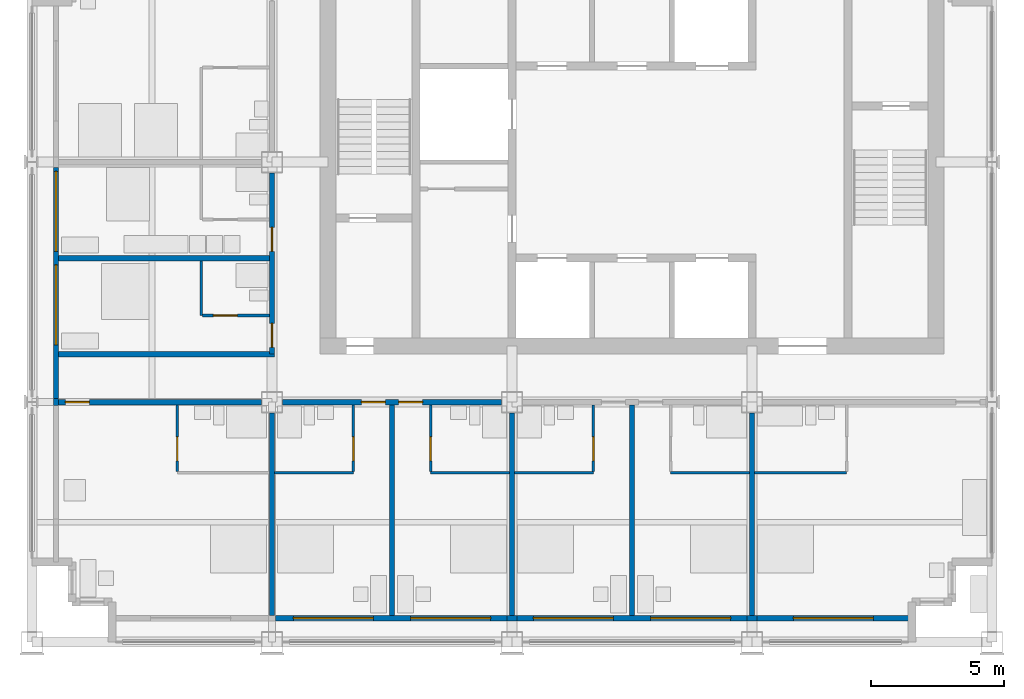
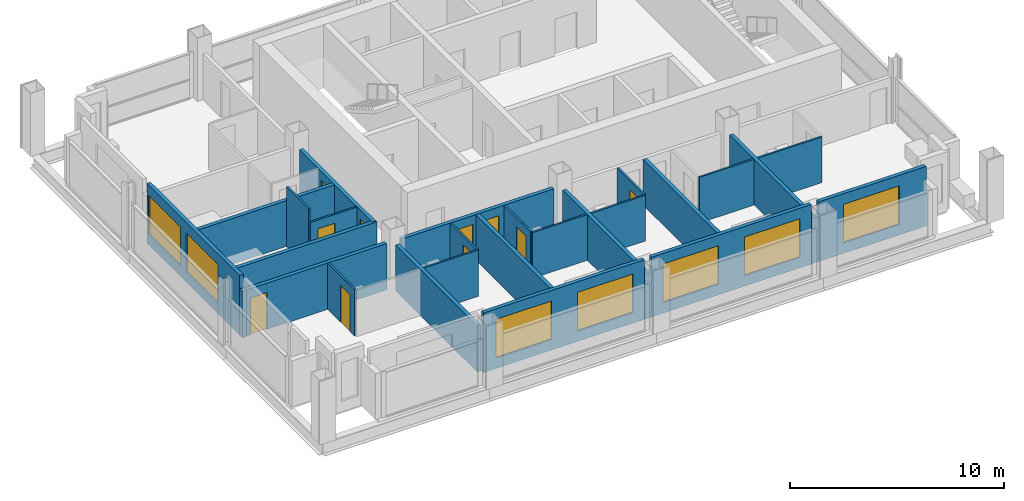
# One storey, part 6 of 12: 28 walls, 10 doors, 7 windows, 17 openings.
"""IFC4 building model written with IfcOpenShell, lengths in metres."""

from ifc_helpers import new_model, si_unit, direction, frame, frame_2d, origin, place, context, subcontext, project, spatial, rectangle, extrude, material, layer, layer_set, type_object, element, fill, save


model = new_model("IFC4")

# Units and contexts
model_context = context("Model", 3, precision=1e-05, world=origin(), true_north=direction((0.0, 1.0)))
body_context = subcontext(model_context, "Body", "Model", "MODEL_VIEW")
ifc_project = project(units=[si_unit("LENGTHUNIT", "METRE"), si_unit("AREAUNIT", "SQUARE_METRE"), si_unit("VOLUMEUNIT", "CUBIC_METRE"), si_unit("PLANEANGLEUNIT", "RADIAN"), si_unit("MASSUNIT", "GRAM", prefix="KILO")], contexts=[model_context])

# Site, building, storey
site_placement = place(None, origin())
site = spatial("IfcSite", under=ifc_project, at=site_placement, CompositionType="ELEMENT")
building_placement = place(site_placement, origin())
building = spatial("IfcBuilding", under=site, at=building_placement, Name="Loomwork Tower", CompositionType="ELEMENT")
storey_placement = place(building_placement, frame((0.0, 0.0, 251.800048828125)))
storey = spatial("IfcBuildingStorey", under=building, at=storey_placement, Name="L69", CompositionType="ELEMENT", Elevation=251.800048828125)

# Wall, opening, door
ifc_material_1 = material(Name="Gypsum board on steel studs, one-hour", Category="steel")
ifc_layer_1 = layer(ifc_material_1, 0.199951171875)
ifc_layer_set_1 = layer_set([ifc_layer_1], Name="Corridor wall 200")
wall_type_1 = type_object("IfcWallType", Name="Corridor wall 200", PredefinedType="PARTITIONING", material=ifc_layer_set_1)
wall_1_placement = place(storey_placement, frame((1.0, 9.0, 0.0), z_axis=(0.0, 0.0, 1.0), x_axis=(1.0, 0.0, 0.0)))
wall_1 = element("IfcWall", 1, at=wall_1_placement, inside=storey, type_object=wall_type_1, Name="South corridor wall 1", PredefinedType="PARTITIONING", context=body_context, shape_type="SweptSolid", body=[
    extrude(rectangle(XDim=7.60009765625, YDim=0.199951171875, at=frame_2d((3.800048828125, 0.0))), origin(), (0.0, 0.0, 1.0), 2.637939453125),
])
opening_1_placement = place(wall_1_placement, frame((0.25, 0.0, 0.0)))
opening_1 = element("IfcOpeningElement", 2, at=opening_1_placement, cuts=wall_1, Name="Opening D1", PredefinedType="OPENING", context=body_context, shape_type="SweptSolid", body=[
    extrude(rectangle(XDim=0.89990234375, YDim=2.10009765625, at=frame_2d((0.449951171875, 1.050048828125))), frame((0.0, 0.10986328125, 0.0), z_axis=(0.0, -1.0, 0.0), x_axis=(1.0, 0.0, 0.0)), (0.0, 0.0, 1.0), 0.219970703125),
])
ifc_material_2 = material(Name="Hollow metal door and frame")
door_type_1 = type_object("IfcDoorType", Name="Guest room entry door 900", OperationType="SINGLE_SWING_LEFT", PredefinedType="DOOR", material=ifc_material_2)
door_1_placement = place(opening_1_placement, frame((0.89990234375, 0.0, 0.0), z_axis=(0.0, 0.0, 1.0), x_axis=(-1.0, 0.0, 0.0)))
door_1 = element("IfcDoor", 3, at=door_1_placement, inside=storey, type_object=door_type_1, Name="Guest room entry door L69 1", OperationType="SINGLE_SWING_RIGHT", OverallHeight=2.10009765625, OverallWidth=0.89990234375, PredefinedType="DOOR", context=body_context, shape_type="SweptSolid", body=[
    extrude(rectangle(XDim=0.89990234375, YDim=2.10009765625, at=frame_2d((0.449951171875, 1.050048828125))), frame((0.0, 0.02490234375, 0.0), z_axis=(0.0, -1.0, 0.0), x_axis=(1.0, 0.0, 0.0)), (0.0, 0.0, 1.0), 0.050048828125),
])
fill(opening_1, door_1)

# Wall, openings, doors
wall_2_placement = place(storey_placement, frame((9.39990234375, 9.0, 0.0), z_axis=(0.0, 0.0, 1.0), x_axis=(1.0, 0.0, 0.0)))
wall_2 = element("IfcWall", 4, at=wall_2_placement, inside=storey, type_object=wall_type_1, Name="South corridor wall 2", PredefinedType="PARTITIONING", context=body_context, shape_type="SweptSolid", body=[
    extrude(rectangle(XDim=8.2001953125, YDim=0.199951171875, at=frame_2d((4.10009765625, 0.0))), origin(), (0.0, 0.0, 1.0), 2.60498046875),
])
opening_2_placement = place(wall_2_placement, frame((2.949951171875, 0.0, 0.0)))
opening_2 = element("IfcOpeningElement", 5, at=opening_2_placement, cuts=wall_2, Name="Opening D1", PredefinedType="OPENING", context=body_context, shape_type="SweptSolid", body=[
    extrude(rectangle(XDim=0.89990234375, YDim=2.10009765625, at=frame_2d((0.449951171875, 1.050048828125))), frame((0.0, 0.10986328125, 0.0), z_axis=(0.0, -1.0, 0.0), x_axis=(1.0, 0.0, 0.0)), (0.0, 0.0, 1.0), 0.219970703125),
])
opening_3_placement = place(wall_2_placement, frame((4.35009765625, 0.0, 0.0)))
opening_3 = element("IfcOpeningElement", 6, at=opening_3_placement, cuts=wall_2, Name="Opening D1", PredefinedType="OPENING", context=body_context, shape_type="SweptSolid", body=[
    extrude(rectangle(XDim=0.89990234375, YDim=2.10009765625, at=frame_2d((0.449951171875, 1.050048828125))), frame((0.0, 0.10986328125, 0.0), z_axis=(0.0, -1.0, 0.0), x_axis=(1.0, 0.0, 0.0)), (0.0, 0.0, 1.0), 0.219970703125),
])
door_2_placement = place(opening_2_placement, frame((0.89990234375, 0.0, 0.0), z_axis=(0.0, 0.0, 1.0), x_axis=(-1.0, 0.0, 0.0)))
door_2 = element("IfcDoor", 7, at=door_2_placement, inside=storey, type_object=door_type_1, Name="Guest room entry door L69 2", OperationType="SINGLE_SWING_LEFT", OverallHeight=2.10009765625, OverallWidth=0.89990234375, PredefinedType="DOOR", context=body_context, shape_type="SweptSolid", body=[
    extrude(rectangle(XDim=0.89990234375, YDim=2.10009765625, at=frame_2d((0.449951171875, 1.050048828125))), frame((0.0, 0.02490234375, 0.0), z_axis=(0.0, -1.0, 0.0), x_axis=(1.0, 0.0, 0.0)), (0.0, 0.0, 1.0), 0.050048828125),
])
fill(opening_2, door_2)
door_3_placement = place(opening_3_placement, frame((0.89990234375, 0.0, 0.0), z_axis=(0.0, 0.0, 1.0), x_axis=(-1.0, 0.0, 0.0)))
door_3 = element("IfcDoor", 8, at=door_3_placement, inside=storey, type_object=door_type_1, Name="Guest room entry door L69 3", OperationType="SINGLE_SWING_RIGHT", OverallHeight=2.10009765625, OverallWidth=0.89990234375, PredefinedType="DOOR", context=body_context, shape_type="SweptSolid", body=[
    extrude(rectangle(XDim=0.89990234375, YDim=2.10009765625, at=frame_2d((0.449951171875, 1.050048828125))), frame((0.0, 0.02490234375, 0.0), z_axis=(0.0, -1.0, 0.0), x_axis=(1.0, 0.0, 0.0)), (0.0, 0.0, 1.0), 0.050048828125),
])
fill(opening_3, door_3)

wall_3_placement = place(storey_placement, frame((9.0, 10.800048828125, 0.0), z_axis=(0.0, 0.0, 1.0), x_axis=(0.0, 1.0, 0.0)))
wall_3 = element("IfcWall", 9, at=wall_3_placement, inside=storey, type_object=wall_type_1, Name="West corridor wall 1", PredefinedType="PARTITIONING", context=body_context, shape_type="SweptSolid", body=[
    extrude(rectangle(XDim=6.800048828125, YDim=0.199951171875, at=frame_2d((3.39990234375, 0.0))), origin(), (0.0, 0.0, 1.0), 2.60498046875),
])
opening_4_placement = place(wall_3_placement, frame((0.25, 0.0, 0.0)))
opening_4 = element("IfcOpeningElement", 10, at=opening_4_placement, cuts=wall_3, Name="Opening D1", PredefinedType="OPENING", context=body_context, shape_type="SweptSolid", body=[
    extrude(rectangle(XDim=0.89990234375, YDim=2.10009765625, at=frame_2d((0.449951171875, 1.050048828125))), frame((0.0, 0.10986328125, 0.0), z_axis=(0.0, -1.0, 0.0), x_axis=(1.0, 0.0, 0.0)), (0.0, 0.0, 1.0), 0.219970703125),
])
opening_5_placement = place(wall_3_placement, frame((3.85009765625, 0.0, 0.0)))
opening_5 = element("IfcOpeningElement", 11, at=opening_5_placement, cuts=wall_3, Name="Opening D1", PredefinedType="OPENING", context=body_context, shape_type="SweptSolid", body=[
    extrude(rectangle(XDim=0.89990234375, YDim=2.10009765625, at=frame_2d((0.449951171875, 1.050048828125))), frame((0.0, 0.10986328125, 0.0), z_axis=(0.0, -1.0, 0.0), x_axis=(1.0, 0.0, 0.0)), (0.0, 0.0, 1.0), 0.219970703125),
])
door_4_placement = place(opening_4_placement, origin())
door_4 = element("IfcDoor", 12, at=door_4_placement, inside=storey, type_object=door_type_1, Name="Guest room entry door L69 7", OperationType="SINGLE_SWING_LEFT", OverallHeight=2.10009765625, OverallWidth=0.89990234375, PredefinedType="DOOR", context=body_context, shape_type="SweptSolid", body=[
    extrude(rectangle(XDim=0.89990234375, YDim=2.10009765625, at=frame_2d((0.449951171875, 1.050048828125))), frame((0.0, 0.02490234375, 0.0), z_axis=(0.0, -1.0, 0.0), x_axis=(1.0, 0.0, 0.0)), (0.0, 0.0, 1.0), 0.050048828125),
])
fill(opening_4, door_4)
door_5_placement = place(opening_5_placement, origin())
door_5 = element("IfcDoor", 13, at=door_5_placement, inside=storey, type_object=door_type_1, Name="Guest room entry door L69 8", OperationType="SINGLE_SWING_LEFT", OverallHeight=2.10009765625, OverallWidth=0.89990234375, PredefinedType="DOOR", context=body_context, shape_type="SweptSolid", body=[
    extrude(rectangle(XDim=0.89990234375, YDim=2.10009765625, at=frame_2d((0.449951171875, 1.050048828125))), frame((0.0, 0.02490234375, 0.0), z_axis=(0.0, -1.0, 0.0), x_axis=(1.0, 0.0, 0.0)), (0.0, 0.0, 1.0), 0.050048828125),
])
fill(opening_5, door_5)

# Wall
wall_4_placement = place(storey_placement, frame((1.0, 10.800048828125, 0.0), z_axis=(0.0, 0.0, 1.0), x_axis=(1.0, 0.0, 0.0)))
element("IfcWall", 14, at=wall_4_placement, inside=storey, type_object=wall_type_1, Name="West band end wall S", PredefinedType="PARTITIONING", context=body_context, shape_type="SweptSolid", body=[
    extrude(rectangle(XDim=8.10009765625, YDim=0.199951171875, at=frame_2d((4.050048828125, 0.0))), origin(), (0.0, 0.0, 1.0), 2.60400390625),
])

# Wall, opening, door
ifc_material_3 = material(Name="Cement board on steel studs", Category="steel")
ifc_layer_2 = layer(ifc_material_3, 0.10009765625)
ifc_layer_set_2 = layer_set([ifc_layer_2], Name="En-suite partition 100")
wall_type_2 = type_object("IfcWallType", Name="En-suite partition 100", PredefinedType="PARTITIONING", material=ifc_layer_set_2)
wall_5_placement = place(storey_placement, frame((5.449951171875, 8.89990234375, 0.0), z_axis=(0.0, 0.0, 1.0), x_axis=(0.0, -1.0, 0.0)))
wall_5 = element("IfcWall", 15, at=wall_5_placement, inside=storey, type_object=wall_type_2, Name="En-suite side wall L69 room 1", PredefinedType="PARTITIONING", context=body_context, shape_type="SweptSolid", body=[
    extrude(rectangle(XDim=2.5, YDim=0.10009765625, at=frame_2d((1.25, 0.0))), origin(), (0.0, 0.0, 1.0), 2.637939453125),
])
opening_6_placement = place(wall_5_placement, frame((1.199951171875, 0.0, 0.0)))
opening_6 = element("IfcOpeningElement", 16, at=opening_6_placement, cuts=wall_5, Name="Opening D3", PredefinedType="OPENING", context=body_context, shape_type="SweptSolid", body=[
    extrude(rectangle(XDim=0.89990234375, YDim=2.10009765625, at=frame_2d((0.449951171875, 1.050048828125))), frame((0.0, 0.06005859375, 0.0), z_axis=(0.0, -1.0, 0.0), x_axis=(1.0, 0.0, 0.0)), (0.0, 0.0, 1.0), 0.1201171875),
])
ifc_material_4 = material(Name="Hollow metal door and frame")
door_type_2 = type_object("IfcDoorType", Name="Accessible en-suite door 900", OperationType="SLIDING_TO_LEFT", PredefinedType="DOOR", material=ifc_material_4)
door_6_placement = place(opening_6_placement, origin())
door_6 = element("IfcDoor", 17, at=door_6_placement, inside=storey, type_object=door_type_2, Name="Accessible en-suite door room 1", OperationType="SLIDING_TO_LEFT", OverallHeight=2.10009765625, OverallWidth=0.89990234375, PredefinedType="DOOR", context=body_context, shape_type="SweptSolid", body=[
    extrude(rectangle(XDim=0.89990234375, YDim=2.10009765625, at=frame_2d((0.449951171875, 1.050048828125))), frame((0.0, 0.02490234375, 0.0), z_axis=(0.0, -1.0, 0.0), x_axis=(1.0, 0.0, 0.0)), (0.0, 0.0, 1.0), 0.050048828125),
])
fill(opening_6, door_6)

# Wall
wall_6_placement = place(storey_placement, frame((9.10009765625, 6.35009765625, 0.0), z_axis=(0.0, 0.0, 1.0), x_axis=(1.0, 0.0, 0.0)))
element("IfcWall", 18, at=wall_6_placement, inside=storey, type_object=wall_type_2, Name="En-suite wall L69 room 2", PredefinedType="PARTITIONING", context=body_context, shape_type="SweptSolid", body=[
    extrude(rectangle(XDim=2.949951171875, YDim=0.10009765625, at=frame_2d((1.47509765625, 0.0))), origin(), (0.0, 0.0, 1.0), 2.637939453125),
])

# Wall, opening, door
wall_7_placement = place(storey_placement, frame((12.050048828125, 8.89990234375, 0.0), z_axis=(0.0, 0.0, 1.0), x_axis=(0.0, -1.0, 0.0)))
wall_7 = element("IfcWall", 19, at=wall_7_placement, inside=storey, type_object=wall_type_2, Name="En-suite side wall L69 room 2", PredefinedType="PARTITIONING", context=body_context, shape_type="SweptSolid", body=[
    extrude(rectangle(XDim=2.5, YDim=0.10009765625, at=frame_2d((1.25, 0.0))), origin(), (0.0, 0.0, 1.0), 2.60400390625),
])
opening_7_placement = place(wall_7_placement, frame((1.199951171875, 0.0, 0.0)))
opening_7 = element("IfcOpeningElement", 20, at=opening_7_placement, cuts=wall_7, Name="Opening D2", PredefinedType="OPENING", context=body_context, shape_type="SweptSolid", body=[
    extrude(rectangle(XDim=0.89990234375, YDim=2.10009765625, at=frame_2d((0.449951171875, 1.050048828125))), frame((0.0, 0.06005859375, 0.0), z_axis=(0.0, -1.0, 0.0), x_axis=(1.0, 0.0, 0.0)), (0.0, 0.0, 1.0), 0.1201171875),
])
ifc_material_5 = material(Name="Hollow metal door and frame")
door_type_3 = type_object("IfcDoorType", Name="En-suite door 900", OperationType="SINGLE_SWING_LEFT", PredefinedType="DOOR", material=ifc_material_5)
door_7_placement = place(opening_7_placement, frame((0.89990234375, 0.0, 0.0), z_axis=(0.0, 0.0, 1.0), x_axis=(-1.0, 0.0, 0.0)))
door_7 = element("IfcDoor", 21, at=door_7_placement, inside=storey, type_object=door_type_3, Name="En-suite door room 2", OperationType="SINGLE_SWING_LEFT", OverallHeight=2.10009765625, OverallWidth=0.89990234375, PredefinedType="DOOR", context=body_context, shape_type="SweptSolid", body=[
    extrude(rectangle(XDim=0.89990234375, YDim=2.10009765625, at=frame_2d((0.449951171875, 1.050048828125))), frame((0.0, 0.02490234375, 0.0), z_axis=(0.0, -1.0, 0.0), x_axis=(1.0, 0.0, 0.0)), (0.0, 0.0, 1.0), 0.050048828125),
])
fill(opening_7, door_7)

# Wall
wall_8_placement = place(storey_placement, frame((14.949951171875, 6.35009765625, 0.0), z_axis=(0.0, 0.0, 1.0), x_axis=(1.0, 0.0, 0.0)))
element("IfcWall", 22, at=wall_8_placement, inside=storey, type_object=wall_type_2, Name="En-suite wall L69 room 3", PredefinedType="PARTITIONING", context=body_context, shape_type="SweptSolid", body=[
    extrude(rectangle(XDim=2.949951171875, YDim=0.10009765625, at=frame_2d((1.47509765625, 0.0))), origin(), (0.0, 0.0, 1.0), 2.60400390625),
])

# Wall, opening, door
wall_9_placement = place(storey_placement, frame((14.949951171875, 8.89990234375, 0.0), z_axis=(0.0, 0.0, 1.0), x_axis=(0.0, -1.0, 0.0)))
wall_9 = element("IfcWall", 23, at=wall_9_placement, inside=storey, type_object=wall_type_2, Name="En-suite side wall L69 room 3", PredefinedType="PARTITIONING", context=body_context, shape_type="SweptSolid", body=[
    extrude(rectangle(XDim=2.5, YDim=0.10009765625, at=frame_2d((1.25, 0.0))), origin(), (0.0, 0.0, 1.0), 2.60400390625),
])
opening_8_placement = place(wall_9_placement, frame((1.199951171875, 0.0, 0.0)))
opening_8 = element("IfcOpeningElement", 24, at=opening_8_placement, cuts=wall_9, Name="Opening D2", PredefinedType="OPENING", context=body_context, shape_type="SweptSolid", body=[
    extrude(rectangle(XDim=0.89990234375, YDim=2.10009765625, at=frame_2d((0.449951171875, 1.050048828125))), frame((0.0, 0.06005859375, 0.0), z_axis=(0.0, -1.0, 0.0), x_axis=(1.0, 0.0, 0.0)), (0.0, 0.0, 1.0), 0.1201171875),
])
door_8_placement = place(opening_8_placement, origin())
door_8 = element("IfcDoor", 25, at=door_8_placement, inside=storey, type_object=door_type_3, Name="En-suite door room 3", OperationType="SINGLE_SWING_RIGHT", OverallHeight=2.10009765625, OverallWidth=0.89990234375, PredefinedType="DOOR", context=body_context, shape_type="SweptSolid", body=[
    extrude(rectangle(XDim=0.89990234375, YDim=2.10009765625, at=frame_2d((0.449951171875, 1.050048828125))), frame((0.0, 0.02490234375, 0.0), z_axis=(0.0, -1.0, 0.0), x_axis=(1.0, 0.0, 0.0)), (0.0, 0.0, 1.0), 0.050048828125),
])
fill(opening_8, door_8)

# Wall
wall_10_placement = place(storey_placement, frame((18.10009765625, 6.35009765625, 0.0), z_axis=(0.0, 0.0, 1.0), x_axis=(1.0, 0.0, 0.0)))
element("IfcWall", 26, at=wall_10_placement, inside=storey, type_object=wall_type_2, Name="En-suite wall L69 room 4", PredefinedType="PARTITIONING", context=body_context, shape_type="SweptSolid", body=[
    extrude(rectangle(XDim=2.949951171875, YDim=0.10009765625, at=frame_2d((1.47509765625, 0.0))), origin(), (0.0, 0.0, 1.0), 2.60400390625),
])

# Wall, opening, door
wall_11_placement = place(storey_placement, frame((21.050048828125, 8.89990234375, 0.0), z_axis=(0.0, 0.0, 1.0), x_axis=(0.0, -1.0, 0.0)))
wall_11 = element("IfcWall", 27, at=wall_11_placement, inside=storey, type_object=wall_type_2, Name="En-suite side wall L69 room 4", PredefinedType="PARTITIONING", context=body_context, shape_type="SweptSolid", body=[
    extrude(rectangle(XDim=2.5, YDim=0.10009765625, at=frame_2d((1.25, 0.0))), origin(), (0.0, 0.0, 1.0), 2.60400390625),
])
opening_9_placement = place(wall_11_placement, frame((1.199951171875, 0.0, 0.0)))
opening_9 = element("IfcOpeningElement", 28, at=opening_9_placement, cuts=wall_11, Name="Opening D2", PredefinedType="OPENING", context=body_context, shape_type="SweptSolid", body=[
    extrude(rectangle(XDim=0.89990234375, YDim=2.10009765625, at=frame_2d((0.449951171875, 1.050048828125))), frame((0.0, 0.06005859375, 0.0), z_axis=(0.0, -1.0, 0.0), x_axis=(1.0, 0.0, 0.0)), (0.0, 0.0, 1.0), 0.1201171875),
])
door_9_placement = place(opening_9_placement, frame((0.89990234375, 0.0, 0.0), z_axis=(0.0, 0.0, 1.0), x_axis=(-1.0, 0.0, 0.0)))
door_9 = element("IfcDoor", 29, at=door_9_placement, inside=storey, type_object=door_type_3, Name="En-suite door room 4", OperationType="SINGLE_SWING_LEFT", OverallHeight=2.10009765625, OverallWidth=0.89990234375, PredefinedType="DOOR", context=body_context, shape_type="SweptSolid", body=[
    extrude(rectangle(XDim=0.89990234375, YDim=2.10009765625, at=frame_2d((0.449951171875, 1.050048828125))), frame((0.0, 0.02490234375, 0.0), z_axis=(0.0, -1.0, 0.0), x_axis=(1.0, 0.0, 0.0)), (0.0, 0.0, 1.0), 0.050048828125),
])
fill(opening_9, door_9)

# Walls
wall_12_placement = place(storey_placement, frame((23.949951171875, 6.35009765625, 0.0), z_axis=(0.0, 0.0, 1.0), x_axis=(1.0, 0.0, 0.0)))
element("IfcWall", 30, at=wall_12_placement, inside=storey, type_object=wall_type_2, Name="En-suite wall L69 room 5", PredefinedType="PARTITIONING", context=body_context, shape_type="SweptSolid", body=[
    extrude(rectangle(XDim=2.949951171875, YDim=0.10009765625, at=frame_2d((1.47509765625, 0.0))), origin(), (0.0, 0.0, 1.0), 2.60400390625),
])
wall_13_placement = place(storey_placement, frame((27.10009765625, 6.35009765625, 0.0), z_axis=(0.0, 0.0, 1.0), x_axis=(1.0, 0.0, 0.0)))
element("IfcWall", 31, at=wall_13_placement, inside=storey, type_object=wall_type_2, Name="En-suite wall L69 room 6", PredefinedType="PARTITIONING", context=body_context, shape_type="SweptSolid", body=[
    extrude(rectangle(XDim=3.449951171875, YDim=0.10009765625, at=frame_2d((1.72509765625, 0.0))), origin(), (0.0, 0.0, 1.0), 2.60400390625),
])
wall_14_placement = place(storey_placement, frame((6.35009765625, 12.25, 0.0), z_axis=(0.0, 0.0, 1.0), x_axis=(0.0, 1.0, 0.0)))
element("IfcWall", 32, at=wall_14_placement, inside=storey, type_object=wall_type_2, Name="En-suite wall L69 room 7", PredefinedType="PARTITIONING", context=body_context, shape_type="SweptSolid", body=[
    extrude(rectangle(XDim=2.050048828125, YDim=0.10009765625, at=frame_2d((1.02490234375, 0.0))), origin(), (0.0, 0.0, 1.0), 3.39990234375),
])

# Wall, opening, door
wall_15_placement = place(storey_placement, frame((8.89990234375, 12.25, 0.0), z_axis=(0.0, 0.0, 1.0), x_axis=(-1.0, 0.0, 0.0)))
wall_15 = element("IfcWall", 33, at=wall_15_placement, inside=storey, type_object=wall_type_2, Name="En-suite side wall L69 room 7", PredefinedType="PARTITIONING", context=body_context, shape_type="SweptSolid", body=[
    extrude(rectangle(XDim=2.5, YDim=0.10009765625, at=frame_2d((1.25, 0.0))), origin(), (0.0, 0.0, 1.0), 2.60400390625),
])
opening_10_placement = place(wall_15_placement, frame((1.199951171875, 0.0, 0.0)))
opening_10 = element("IfcOpeningElement", 34, at=opening_10_placement, cuts=wall_15, Name="Opening D2", PredefinedType="OPENING", context=body_context, shape_type="SweptSolid", body=[
    extrude(rectangle(XDim=0.89990234375, YDim=2.10009765625, at=frame_2d((0.449951171875, 1.050048828125))), frame((0.0, 0.06005859375, 0.0), z_axis=(0.0, -1.0, 0.0), x_axis=(1.0, 0.0, 0.0)), (0.0, 0.0, 1.0), 0.1201171875),
])
door_10_placement = place(opening_10_placement, frame((0.89990234375, 0.0, 0.0), z_axis=(0.0, 0.0, 1.0), x_axis=(-1.0, 0.0, 0.0)))
door_10 = element("IfcDoor", 35, at=door_10_placement, inside=storey, type_object=door_type_3, Name="En-suite door room 7", OperationType="SINGLE_SWING_LEFT", OverallHeight=2.10009765625, OverallWidth=0.89990234375, PredefinedType="DOOR", context=body_context, shape_type="SweptSolid", body=[
    extrude(rectangle(XDim=0.89990234375, YDim=2.10009765625, at=frame_2d((0.449951171875, 1.050048828125))), frame((0.0, 0.02490234375, 0.0), z_axis=(0.0, -1.0, 0.0), x_axis=(1.0, 0.0, 0.0)), (0.0, 0.0, 1.0), 0.050048828125),
])
fill(opening_10, door_10)

# Walls
ifc_material_6 = material(Name="Gypsum board on steel studs, acoustic", Category="steel")
ifc_layer_3 = layer(ifc_material_6, 0.199951171875)
ifc_layer_set_3 = layer_set([ifc_layer_3], Name="Guest room party wall 200")
wall_type_3 = type_object("IfcWallType", Name="Guest room party wall 200", PredefinedType="PARTITIONING", material=ifc_layer_set_3)
wall_16_placement = place(storey_placement, frame((9.0, 8.60009765625, 0.0), z_axis=(0.0, 0.0, 1.0), x_axis=(0.0, -1.0, 0.0)))
element("IfcWall", 36, at=wall_16_placement, inside=storey, type_object=wall_type_3, Name="Guest room party wall S 9", PredefinedType="PARTITIONING", context=body_context, shape_type="SweptSolid", body=[
    extrude(rectangle(XDim=7.60009765625, YDim=0.199951171875, at=frame_2d((3.800048828125, 0.0))), origin(), (0.0, 0.0, 1.0), 2.637939453125),
])
wall_17_placement = place(storey_placement, frame((13.5, 8.89990234375, 0.0), z_axis=(0.0, 0.0, 1.0), x_axis=(0.0, -1.0, 0.0)))
element("IfcWall", 37, at=wall_17_placement, inside=storey, type_object=wall_type_3, Name="Guest room party wall S 13.5", PredefinedType="PARTITIONING", context=body_context, shape_type="SweptSolid", body=[
    extrude(rectangle(XDim=7.89990234375, YDim=0.199951171875, at=frame_2d((3.949951171875, 0.0))), origin(), (0.0, 0.0, 1.0), 2.60400390625),
])
wall_18_placement = place(storey_placement, frame((18.0, 8.60009765625, 0.0), z_axis=(0.0, 0.0, 1.0), x_axis=(0.0, -1.0, 0.0)))
element("IfcWall", 38, at=wall_18_placement, inside=storey, type_object=wall_type_3, Name="Guest room party wall S 18", PredefinedType="PARTITIONING", context=body_context, shape_type="SweptSolid", body=[
    extrude(rectangle(XDim=7.60009765625, YDim=0.199951171875, at=frame_2d((3.800048828125, 0.0))), origin(), (0.0, 0.0, 1.0), 2.60498046875),
])
wall_19_placement = place(storey_placement, frame((22.5, 8.89990234375, 0.0), z_axis=(0.0, 0.0, 1.0), x_axis=(0.0, -1.0, 0.0)))
element("IfcWall", 39, at=wall_19_placement, inside=storey, type_object=wall_type_3, Name="Guest room party wall S 22.5", PredefinedType="PARTITIONING", context=body_context, shape_type="SweptSolid", body=[
    extrude(rectangle(XDim=7.89990234375, YDim=0.199951171875, at=frame_2d((3.949951171875, 0.0))), origin(), (0.0, 0.0, 1.0), 2.60400390625),
])
wall_20_placement = place(storey_placement, frame((27.0, 8.60009765625, 0.0), z_axis=(0.0, 0.0, 1.0), x_axis=(0.0, -1.0, 0.0)))
element("IfcWall", 40, at=wall_20_placement, inside=storey, type_object=wall_type_3, Name="Guest room party wall S 27", PredefinedType="PARTITIONING", context=body_context, shape_type="SweptSolid", body=[
    extrude(rectangle(XDim=7.60009765625, YDim=0.199951171875, at=frame_2d((3.800048828125, 0.0))), origin(), (0.0, 0.0, 1.0), 2.60498046875),
])
wall_21_placement = place(storey_placement, frame((8.89990234375, 14.39990234375, 0.0), z_axis=(0.0, 0.0, 1.0), x_axis=(-1.0, 0.0, 0.0)))
element("IfcWall", 41, at=wall_21_placement, inside=storey, type_object=wall_type_3, Name="Guest room party wall W 14.4", PredefinedType="PARTITIONING", context=body_context, shape_type="SweptSolid", body=[
    extrude(rectangle(XDim=7.89990234375, YDim=0.199951171875, at=frame_2d((3.949951171875, 0.0))), origin(), (0.0, 0.0, 1.0), 2.60400390625),
])

# Wall, openings, windows
ifc_material_7 = material(Name="Insulated steel stud wall with gypsum lining", Category="steel")
ifc_layer_4 = layer(ifc_material_7, 0.199951171875)
ifc_layer_set_4 = layer_set([ifc_layer_4], Name="Inner skin wall 200")
wall_type_4 = type_object("IfcWallType", Name="Inner skin wall 200", PredefinedType="SOLIDWALL", material=ifc_layer_set_4)
wall_22_placement = place(storey_placement, frame((9.13525390625, 0.89990234375, 0.0), z_axis=(0.0, 0.0, 1.0), x_axis=(1.0, 0.0, 0.0)))
wall_22 = element("IfcWall", 42, at=wall_22_placement, inside=storey, type_object=wall_type_4, Name="Inner skin wall S bay 3", PredefinedType="SOLIDWALL", context=body_context, shape_type="SweptSolid", body=[
    extrude(rectangle(XDim=8.6708984375, YDim=0.199951171875, at=frame_2d((4.33544921875, 0.0))), origin(), (0.0, 0.0, 1.0), 3.39990234375),
])
opening_11_placement = place(wall_22_placement, frame((0.664794921875, 0.0, 0.60009765625)))
opening_11 = element("IfcOpeningElement", 43, at=opening_11_placement, cuts=wall_22, Name="Opening CH1", PredefinedType="OPENING", context=body_context, shape_type="SweptSolid", body=[
    extrude(rectangle(XDim=3.0, YDim=2.199951171875, at=frame_2d((1.5, 1.10009765625))), frame((0.0, 0.10986328125, 0.0), z_axis=(0.0, -1.0, 0.0), x_axis=(1.0, 0.0, 0.0)), (0.0, 0.0, 1.0), 0.219970703125),
])
opening_12_placement = place(wall_22_placement, frame((5.064697265625, 0.0, 0.60009765625)))
opening_12 = element("IfcOpeningElement", 44, at=opening_12_placement, cuts=wall_22, Name="Opening CH1", PredefinedType="OPENING", context=body_context, shape_type="SweptSolid", body=[
    extrude(rectangle(XDim=3.0, YDim=2.199951171875, at=frame_2d((1.5, 1.10009765625))), frame((0.0, 0.10986328125, 0.0), z_axis=(0.0, -1.0, 0.0), x_axis=(1.0, 0.0, 0.0)), (0.0, 0.0, 1.0), 0.219970703125),
])
ifc_material_8 = material(Name="Aluminium frame with clear insulated glass", Category="aluminium")
window_type = type_object("IfcWindowType", Name="Chicago window 3000", PartitioningType="TRIPLE_PANEL_VERTICAL", PredefinedType="WINDOW", material=ifc_material_8)
window_1_placement = place(opening_11_placement, origin())
window_1 = element("IfcWindow", 45, at=window_1_placement, inside=storey, type_object=window_type, Name="Chicago window L69 bay 2", OverallHeight=2.199951171875, OverallWidth=3.0, PartitioningType="TRIPLE_PANEL_VERTICAL", PredefinedType="WINDOW", context=body_context, shape_type="SweptSolid", body=[
    extrude(rectangle(XDim=3.0, YDim=2.199951171875, at=frame_2d((1.5, 1.10009765625))), frame((0.0, 0.030029296875, 0.0), z_axis=(0.0, -1.0, 0.0), x_axis=(1.0, 0.0, 0.0)), (0.0, 0.0, 1.0), 0.06005859375),
])
fill(opening_11, window_1)
window_2_placement = place(opening_12_placement, origin())
window_2 = element("IfcWindow", 46, at=window_2_placement, inside=storey, type_object=window_type, Name="Chicago window L69 bay 2", OverallHeight=2.199951171875, OverallWidth=3.0, PartitioningType="TRIPLE_PANEL_VERTICAL", PredefinedType="WINDOW", context=body_context, shape_type="SweptSolid", body=[
    extrude(rectangle(XDim=3.0, YDim=2.199951171875, at=frame_2d((1.5, 1.10009765625))), frame((0.0, 0.030029296875, 0.0), z_axis=(0.0, -1.0, 0.0), x_axis=(1.0, 0.0, 0.0)), (0.0, 0.0, 1.0), 0.06005859375),
])
fill(opening_12, window_2)

# Wall
wall_23_placement = place(storey_placement, frame((17.80615234375, 0.89990234375, 0.0), z_axis=(0.0, 0.0, 1.0), x_axis=(1.0, 0.0, 0.0)))
element("IfcWall", 47, at=wall_23_placement, inside=storey, type_object=wall_type_4, Name="Inner skin wall S bay 4", PredefinedType="SOLIDWALL", context=body_context, shape_type="SweptSolid", body=[
    extrude(rectangle(XDim=0.3876953125, YDim=0.199951171875, at=frame_2d((0.19384765625, 0.0))), origin(), (0.0, 0.0, 1.0), 2.60400390625),
])

# Wall, openings, windows
wall_24_placement = place(storey_placement, frame((18.19384765625, 0.89990234375, 0.0), z_axis=(0.0, 0.0, 1.0), x_axis=(1.0, 0.0, 0.0)))
wall_24 = element("IfcWall", 48, at=wall_24_placement, inside=storey, type_object=wall_type_4, Name="Inner skin wall S bay 5", PredefinedType="SOLIDWALL", context=body_context, shape_type="SweptSolid", body=[
    extrude(rectangle(XDim=8.6123046875, YDim=0.199951171875, at=frame_2d((4.30615234375, 0.0))), origin(), (0.0, 0.0, 1.0), 3.39990234375),
])
opening_13_placement = place(wall_24_placement, frame((0.606201171875, 0.0, 0.60009765625)))
opening_13 = element("IfcOpeningElement", 49, at=opening_13_placement, cuts=wall_24, Name="Opening CH1", PredefinedType="OPENING", context=body_context, shape_type="SweptSolid", body=[
    extrude(rectangle(XDim=3.0, YDim=2.199951171875, at=frame_2d((1.5, 1.10009765625))), frame((0.0, 0.10986328125, 0.0), z_axis=(0.0, -1.0, 0.0), x_axis=(1.0, 0.0, 0.0)), (0.0, 0.0, 1.0), 0.219970703125),
])
opening_14_placement = place(wall_24_placement, frame((5.006103515625, 0.0, 0.60009765625)))
opening_14 = element("IfcOpeningElement", 50, at=opening_14_placement, cuts=wall_24, Name="Opening CH1", PredefinedType="OPENING", context=body_context, shape_type="SweptSolid", body=[
    extrude(rectangle(XDim=3.0, YDim=2.199951171875, at=frame_2d((1.5, 1.10009765625))), frame((0.0, 0.10986328125, 0.0), z_axis=(0.0, -1.0, 0.0), x_axis=(1.0, 0.0, 0.0)), (0.0, 0.0, 1.0), 0.219970703125),
])
window_3_placement = place(opening_13_placement, origin())
window_3 = element("IfcWindow", 51, at=window_3_placement, inside=storey, type_object=window_type, Name="Chicago window L69 bay 3", OverallHeight=2.199951171875, OverallWidth=3.0, PartitioningType="TRIPLE_PANEL_VERTICAL", PredefinedType="WINDOW", context=body_context, shape_type="SweptSolid", body=[
    extrude(rectangle(XDim=3.0, YDim=2.199951171875, at=frame_2d((1.5, 1.10009765625))), frame((0.0, 0.030029296875, 0.0), z_axis=(0.0, -1.0, 0.0), x_axis=(1.0, 0.0, 0.0)), (0.0, 0.0, 1.0), 0.06005859375),
])
fill(opening_13, window_3)
window_4_placement = place(opening_14_placement, origin())
window_4 = element("IfcWindow", 52, at=window_4_placement, inside=storey, type_object=window_type, Name="Chicago window L69 bay 3", OverallHeight=2.199951171875, OverallWidth=3.0, PartitioningType="TRIPLE_PANEL_VERTICAL", PredefinedType="WINDOW", context=body_context, shape_type="SweptSolid", body=[
    extrude(rectangle(XDim=3.0, YDim=2.199951171875, at=frame_2d((1.5, 1.10009765625))), frame((0.0, 0.030029296875, 0.0), z_axis=(0.0, -1.0, 0.0), x_axis=(1.0, 0.0, 0.0)), (0.0, 0.0, 1.0), 0.06005859375),
])
fill(opening_14, window_4)

# Wall
wall_25_placement = place(storey_placement, frame((26.80615234375, 0.89990234375, 0.0), z_axis=(0.0, 0.0, 1.0), x_axis=(1.0, 0.0, 0.0)))
element("IfcWall", 53, at=wall_25_placement, inside=storey, type_object=wall_type_4, Name="Inner skin wall S bay 6", PredefinedType="SOLIDWALL", context=body_context, shape_type="SweptSolid", body=[
    extrude(rectangle(XDim=0.3876953125, YDim=0.199951171875, at=frame_2d((0.19384765625, 0.0))), origin(), (0.0, 0.0, 1.0), 2.60400390625),
])

# Wall, opening, window
wall_26_placement = place(storey_placement, frame((27.19384765625, 0.89990234375, 0.0), z_axis=(0.0, 0.0, 1.0), x_axis=(1.0, 0.0, 0.0)))
wall_26 = element("IfcWall", 54, at=wall_26_placement, inside=storey, type_object=wall_type_4, Name="Inner skin wall S bay 7", PredefinedType="SOLIDWALL", context=body_context, shape_type="SweptSolid", body=[
    extrude(rectangle(XDim=5.80615234375, YDim=0.199951171875, at=frame_2d((2.903076171875, 0.0))), origin(), (0.0, 0.0, 1.0), 3.39990234375),
])
opening_15_placement = place(wall_26_placement, frame((1.356201171875, 0.0, 0.60009765625)))
opening_15 = element("IfcOpeningElement", 55, at=opening_15_placement, cuts=wall_26, Name="Opening CH1", PredefinedType="OPENING", context=body_context, shape_type="SweptSolid", body=[
    extrude(rectangle(XDim=3.0, YDim=2.199951171875, at=frame_2d((1.5, 1.10009765625))), frame((0.0, 0.10986328125, 0.0), z_axis=(0.0, -1.0, 0.0), x_axis=(1.0, 0.0, 0.0)), (0.0, 0.0, 1.0), 0.219970703125),
])
window_5_placement = place(opening_15_placement, origin())
window_5 = element("IfcWindow", 56, at=window_5_placement, inside=storey, type_object=window_type, Name="Chicago window L69 bay 4", OverallHeight=2.199951171875, OverallWidth=3.0, PartitioningType="TRIPLE_PANEL_VERTICAL", PredefinedType="WINDOW", context=body_context, shape_type="SweptSolid", body=[
    extrude(rectangle(XDim=3.0, YDim=2.199951171875, at=frame_2d((1.5, 1.10009765625))), frame((0.0, 0.030029296875, 0.0), z_axis=(0.0, -1.0, 0.0), x_axis=(1.0, 0.0, 0.0)), (0.0, 0.0, 1.0), 0.06005859375),
])
fill(opening_15, window_5)

# Wall
wall_27_placement = place(storey_placement, frame((0.89990234375, 8.86474609375, 0.0), z_axis=(0.0, 0.0, 1.0), x_axis=(0.0, 1.0, 0.0)))
element("IfcWall", 57, at=wall_27_placement, inside=storey, type_object=wall_type_4, Name="Inner skin wall W bay 4", PredefinedType="SOLIDWALL", context=body_context, shape_type="SweptSolid", body=[
    extrude(rectangle(XDim=0.2705078125, YDim=0.199951171875, at=frame_2d((0.13525390625, 0.0))), origin(), (0.0, 0.0, 1.0), 2.637939453125),
])

# Wall, openings, windows
wall_28_placement = place(storey_placement, frame((0.89990234375, 9.13525390625, 0.0), z_axis=(0.0, 0.0, 1.0), x_axis=(0.0, 1.0, 0.0)))
wall_28 = element("IfcWall", 58, at=wall_28_placement, inside=storey, type_object=wall_type_4, Name="Inner skin wall W bay 5", PredefinedType="SOLIDWALL", context=body_context, shape_type="SweptSolid", body=[
    extrude(rectangle(XDim=8.6708984375, YDim=0.199951171875, at=frame_2d((4.33544921875, 0.0))), origin(), (0.0, 0.0, 1.0), 3.39990234375),
])
opening_16_placement = place(wall_28_placement, frame((2.0146484375, 0.0, 0.60009765625)))
opening_16 = element("IfcOpeningElement", 59, at=opening_16_placement, cuts=wall_28, Name="Opening CH1", PredefinedType="OPENING", context=body_context, shape_type="SweptSolid", body=[
    extrude(rectangle(XDim=3.0, YDim=2.199951171875, at=frame_2d((1.5, 1.10009765625))), frame((0.0, 0.10986328125, 0.0), z_axis=(0.0, -1.0, 0.0), x_axis=(1.0, 0.0, 0.0)), (0.0, 0.0, 1.0), 0.219970703125),
])
opening_17_placement = place(wall_28_placement, frame((5.5146484375, 0.0, 0.60009765625)))
opening_17 = element("IfcOpeningElement", 60, at=opening_17_placement, cuts=wall_28, Name="Opening CH1", PredefinedType="OPENING", context=body_context, shape_type="SweptSolid", body=[
    extrude(rectangle(XDim=3.0, YDim=2.199951171875, at=frame_2d((1.5, 1.10009765625))), frame((0.0, 0.10986328125, 0.0), z_axis=(0.0, -1.0, 0.0), x_axis=(1.0, 0.0, 0.0)), (0.0, 0.0, 1.0), 0.219970703125),
])
window_6_placement = place(opening_16_placement, origin())
window_6 = element("IfcWindow", 61, at=window_6_placement, inside=storey, type_object=window_type, Name="Chicago window L69 bay 5", OverallHeight=2.199951171875, OverallWidth=3.0, PartitioningType="TRIPLE_PANEL_VERTICAL", PredefinedType="WINDOW", context=body_context, shape_type="SweptSolid", body=[
    extrude(rectangle(XDim=3.0, YDim=2.199951171875, at=frame_2d((1.5, 1.10009765625))), frame((0.0, 0.030029296875, 0.0), z_axis=(0.0, -1.0, 0.0), x_axis=(1.0, 0.0, 0.0)), (0.0, 0.0, 1.0), 0.06005859375),
])
fill(opening_16, window_6)
window_7_placement = place(opening_17_placement, origin())
window_7 = element("IfcWindow", 62, at=window_7_placement, inside=storey, type_object=window_type, Name="Chicago window L69 bay 5", OverallHeight=2.199951171875, OverallWidth=3.0, PartitioningType="TRIPLE_PANEL_VERTICAL", PredefinedType="WINDOW", context=body_context, shape_type="SweptSolid", body=[
    extrude(rectangle(XDim=3.0, YDim=2.199951171875, at=frame_2d((1.5, 1.10009765625))), frame((0.0, 0.030029296875, 0.0), z_axis=(0.0, -1.0, 0.0), x_axis=(1.0, 0.0, 0.0)), (0.0, 0.0, 1.0), 0.06005859375),
])
fill(opening_17, window_7)

save(model, "model.ifc")
